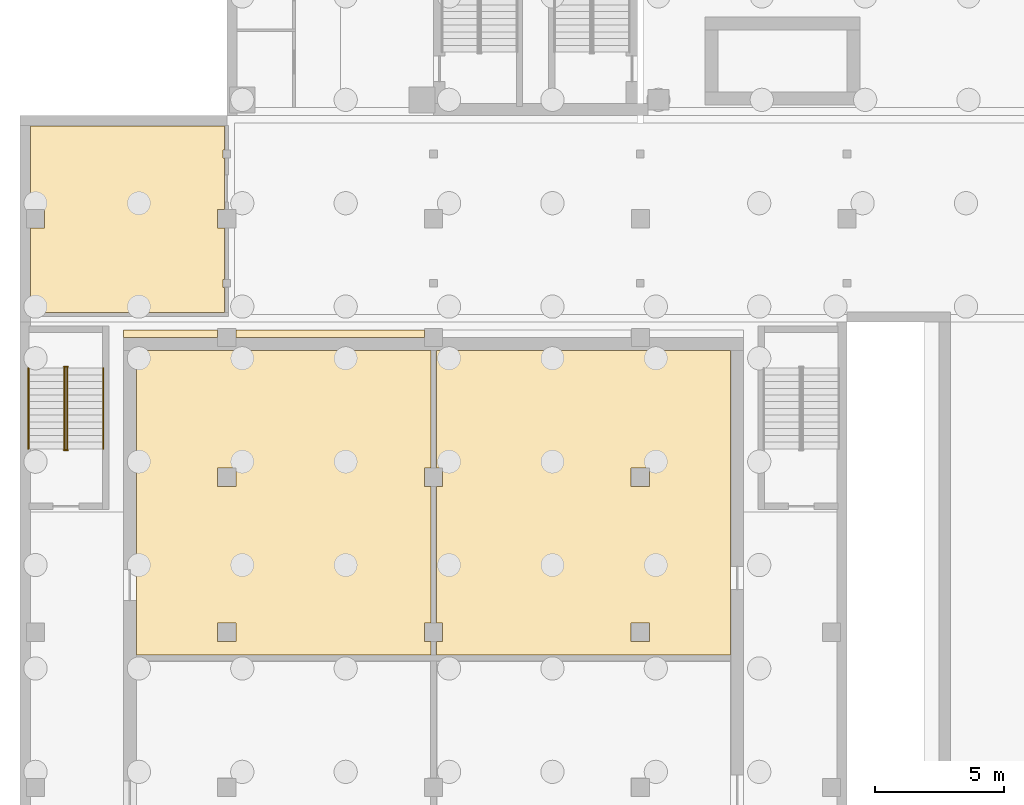
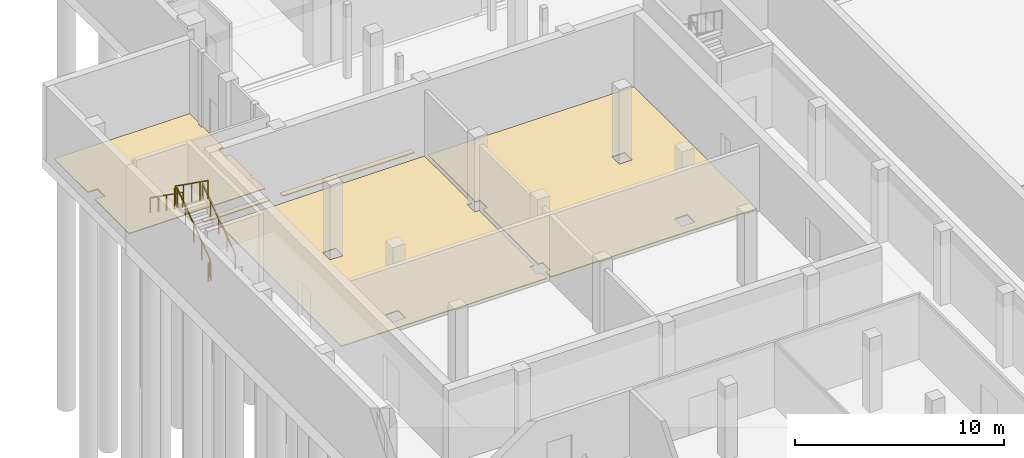
# One storey, part 13 of 21: 6 railings, 5 coverings.
"""IFC4 building model written with IfcOpenShell, lengths in metres."""

from ifc_helpers import new_model, si_unit, direction, frame, origin, origin_2d, place, context, subcontext, project, spatial, polyline, circle, outline, extrude, material, layer, layer_set, type_object, element, save


model = new_model("IFC4")

# Units and contexts
model_context = context("Model", 3, precision=1e-05, world=origin(), true_north=direction((0.0, 1.0)))
body_context = subcontext(model_context, "Body", "Model", "MODEL_VIEW")
ifc_project = project(units=[si_unit("LENGTHUNIT", "METRE"), si_unit("AREAUNIT", "SQUARE_METRE"), si_unit("VOLUMEUNIT", "CUBIC_METRE"), si_unit("PLANEANGLEUNIT", "RADIAN"), si_unit("MASSUNIT", "GRAM", prefix="KILO")], contexts=[model_context])

# Site, building, storey
site_placement = place(None, origin())
site = spatial("IfcSite", under=ifc_project, at=site_placement, CompositionType="ELEMENT")
building_placement = place(site_placement, origin())
building = spatial("IfcBuilding", under=site, at=building_placement, Name="Lantern Court Media Centre", CompositionType="ELEMENT")
storey_placement = place(building_placement, frame((0.0, 0.0, -4.800048828125)))
storey = spatial("IfcBuildingStorey", under=building, at=storey_placement, Name="B1", CompositionType="ELEMENT", Elevation=-4.800048828125)

# Coverings
ifc_material_1 = material(Name="Carpet")
ifc_layer = layer(ifc_material_1, 0.050048828125)
ifc_layer_set = layer_set([ifc_layer], Name="Carpet")
covering_type = type_object("IfcCoveringType", Name="Carpet floor finish", PredefinedType="FLOORING", material=ifc_layer_set)
covering_1_placement = place(storey_placement, origin())
element("IfcCovering", 1, at=covering_1_placement, inside=storey, type_object=covering_type, Name="Cinema Store floor finish", PredefinedType="FLOORING", context=body_context, shape_type="SweptSolid", body=[
    extrude(outline(polyline([(15.89501953125, 27.125), (4.5048828125, 27.125), (4.5048828125, 38.89501953125), (15.89501953125, 38.89501953125), (15.89501953125, 34.35498046875), (15.64501953125, 34.35009765625), (15.645263671875, 33.6484375), (15.89501953125, 33.64501953125), (15.89501953125, 28.35498046875), (15.645263671875, 28.3515625), (15.64501953125, 27.64990234375), (15.89501953125, 27.64501953125), (15.89501953125, 27.125)]), holes=[polyline([(8.35009765625, 33.64501953125), (8.353515625, 34.353515625), (7.646484375, 34.353515625), (7.646484375, 33.646484375), (8.35009765625, 33.64501953125)]), polyline([(8.35009765625, 27.64501953125), (8.353515625, 28.353515625), (7.646484375, 28.353515625), (7.646484375, 27.646484375), (8.35009765625, 27.64501953125)])]), origin(), (0.0, 0.0, 1.0), 0.050048828125),
])
covering_2_placement = place(storey_placement, origin())
element("IfcCovering", 2, at=covering_2_placement, inside=storey, type_object=covering_type, Name="Cinema Store floor finish", PredefinedType="FLOORING", context=body_context, shape_type="SweptSolid", body=[
    extrude(outline(polyline([(15.64501953125, 39.699951171875), (15.64501953125, 39.405029296875), (8.35498046875, 39.405029296875), (8.35498046875, 39.699951171875), (15.64501953125, 39.699951171875)])), origin(), (0.0, 0.0, 1.0), 0.050048828125),
])
covering_3_placement = place(storey_placement, origin())
element("IfcCovering", 3, at=covering_3_placement, inside=storey, type_object=covering_type, Name="Cinema Store floor finish", PredefinedType="FLOORING", context=body_context, shape_type="SweptSolid", body=[
    extrude(outline(polyline([(4.0, 39.699951171875), (7.64501953125, 39.699951171875), (7.64501953125, 39.405029296875), (4.0, 39.405029296875), (4.0, 39.699951171875)])), origin(), (0.0, 0.0, 1.0), 0.050048828125),
])
covering_4_placement = place(storey_placement, origin())
element("IfcCovering", 4, at=covering_4_placement, inside=storey, type_object=covering_type, Name="Fuel and Oil Store floor finish", PredefinedType="FLOORING", context=body_context, shape_type="SweptSolid", body=[
    extrude(outline(polyline([(16.10498046875, 27.125), (16.10498046875, 27.64501953125), (16.35498046875, 27.64990234375), (16.354736328125, 28.3515625), (16.10498046875, 28.35498046875), (16.10498046875, 33.64501953125), (16.35498046875, 33.64990234375), (16.354736328125, 34.3515625), (16.10498046875, 34.35498046875), (16.10498046875, 38.89501953125), (27.4951171875, 38.89501953125), (27.4951171875, 27.125), (16.10498046875, 27.125)]), holes=[polyline([(24.35009765625, 33.64501953125), (24.353515625, 34.353515625), (23.646484375, 34.353515625), (23.646484375, 33.646484375), (24.35009765625, 33.64501953125)]), polyline([(24.35009765625, 27.64501953125), (24.353515625, 28.353515625), (23.646484375, 28.353515625), (23.646484375, 27.646484375), (24.35009765625, 27.64501953125)])]), origin(), (0.0, 0.0, 1.0), 0.050048828125),
])
covering_5_placement = place(storey_placement, origin())
element("IfcCovering", 5, at=covering_5_placement, inside=storey, type_object=covering_type, Name="Metro Link Store floor finish", PredefinedType="FLOORING", context=body_context, shape_type="SweptSolid", body=[
    extrude(outline(polyline([(7.919921875, 40.3798828125), (0.405029296875, 40.3798828125), (0.405029296875, 43.64501953125), (0.955078125, 43.64990234375), (0.953857421875, 44.353271484375), (0.405029296875, 44.35498046875), (0.405029296875, 47.594970703125), (7.919921875, 47.594970703125), (7.919921875, 46.655029296875), (7.844970703125, 46.64990234375), (7.84521484375, 46.34912109375), (7.919921875, 46.344970703125), (7.919921875, 44.35498046875), (7.64501953125, 44.35009765625), (7.645263671875, 43.648193359375), (7.919921875, 43.64501953125), (7.919921875, 41.655029296875), (7.844970703125, 41.64990234375), (7.84521484375, 41.34912109375), (7.919921875, 41.344970703125), (7.919921875, 40.3798828125)])), origin(), (0.0, 0.0, 1.0), 0.050048828125),
])

# Railings
ifc_material_2 = material(Name="Powder-coated steel", Category="steel")
railing_type_1 = type_object("IfcRailingType", Name="Stair guard 1100", PredefinedType="GUARDRAIL", material=ifc_material_2)
railing_1_placement = place(storey_placement, frame((1.825927734375, 35.10009765625, 0.1845703125)))
element("IfcRailing", 6, at=railing_1_placement, inside=storey, type_object=railing_type_1, Name="B1 ST-V1-ST-W stair guard 1", PredefinedType="GUARDRAIL", context=body_context, shape_type="SweptSolid", body=[
    extrude(circle(Radius=0.02392578125, at=origin_2d()), frame((0.0, 0.0, 1.076171875), z_axis=(0.0, 0.815325456587, 0.579002935952), x_axis=(-1.0, 0.0, 0.0)), (0.0, 0.0, 1.0), 3.826416015625),
    extrude(circle(Radius=0.02099609375, at=origin_2d()), origin(), (0.0, 0.0, 1.0), 1.052001953125),
    extrude(circle(Radius=0.02099609375, at=origin_2d()), frame((0.0, 0.780029296875, 0.553955078125)), (0.0, 0.0, 1.0), 1.052001953125),
    extrude(circle(Radius=0.02099609375, at=origin_2d()), frame((0.0, 1.56005859375, 1.10791015625)), (0.0, 0.0, 1.0), 1.052001953125),
    extrude(circle(Radius=0.02099609375, at=origin_2d()), frame((0.0, 2.33984375, 1.66162109375)), (0.0, 0.0, 1.0), 1.052001953125),
    extrude(circle(Radius=0.02099609375, at=origin_2d()), frame((0.0, 3.119873046875, 2.215576171875)), (0.0, 0.0, 1.0), 1.052001953125),
])
railing_2_placement = place(storey_placement, frame((1.85009765625, 38.27001953125, 2.400146484375)))
element("IfcRailing", 7, at=railing_2_placement, inside=storey, type_object=railing_type_1, Name="B1 ST-V1-ST-W stair guard 2", PredefinedType="GUARDRAIL", context=body_context, shape_type="SweptSolid", body=[
    extrude(circle(Radius=0.02392578125, at=origin_2d()), frame((0.0, 0.0, 1.076171875), z_axis=(-1.0, 0.0, 0.0), x_axis=(0.0, -1.0, 0.0)), (0.0, 0.0, 1.0), 0.150146484375),
    extrude(circle(Radius=0.02099609375, at=origin_2d()), origin(), (0.0, 0.0, 1.0), 1.052001953125),
    extrude(circle(Radius=0.02099609375, at=origin_2d()), frame((-0.150146484375, 0.0, 0.0)), (0.0, 0.0, 1.0), 1.052001953125),
])
railing_3_placement = place(storey_placement, frame((1.72412109375, 38.219970703125, 2.584716796875)))
element("IfcRailing", 8, at=railing_3_placement, inside=storey, type_object=railing_type_1, Name="B1 ST-V1-ST-W stair guard 3", PredefinedType="GUARDRAIL", context=body_context, shape_type="SweptSolid", body=[
    extrude(circle(Radius=0.02392578125, at=origin_2d()), frame((0.0, 0.0, 1.076171875), z_axis=(0.0, -0.815355575968, 0.57896052088), x_axis=(1.0, 0.0, 0.0)), (0.0, 0.0, 1.0), 3.826416015625),
    extrude(circle(Radius=0.02099609375, at=origin_2d()), origin(), (0.0, 0.0, 1.0), 1.052001953125),
    extrude(circle(Radius=0.02099609375, at=origin_2d()), frame((0.0, -0.780029296875, 0.5537109375)), (0.0, 0.0, 1.0), 1.052001953125),
    extrude(circle(Radius=0.02099609375, at=origin_2d()), frame((0.0, -1.56005859375, 1.107666015625)), (0.0, 0.0, 1.0), 1.052001953125),
    extrude(circle(Radius=0.02099609375, at=origin_2d()), frame((0.0, -2.33984375, 1.66162109375)), (0.0, 0.0, 1.0), 1.052001953125),
    extrude(circle(Radius=0.02099609375, at=origin_2d()), frame((0.0, -3.119873046875, 2.21533203125)), (0.0, 0.0, 1.0), 1.052001953125),
])
railing_4_placement = place(storey_placement, frame((1.85009765625, 35.050048828125, 0.0)))
element("IfcRailing", 9, at=railing_4_placement, inside=storey, type_object=railing_type_1, Name="B1 ST-V1-ST-W stair guard 4", PredefinedType="GUARDRAIL", context=body_context, shape_type="SweptSolid", body=[
    extrude(circle(Radius=0.02392578125, at=origin_2d()), frame((0.0, 0.0, 1.076171875), z_axis=(-1.0, 0.0, 0.0), x_axis=(0.0, -1.0, 0.0)), (0.0, 0.0, 1.0), 0.150146484375),
    extrude(circle(Radius=0.02099609375, at=origin_2d()), origin(), (0.0, 0.0, 1.0), 1.052001953125),
    extrude(circle(Radius=0.02099609375, at=origin_2d()), frame((-0.150146484375, 0.0, 0.0)), (0.0, 0.0, 1.0), 1.052001953125),
])
railing_type_2 = type_object("IfcRailingType", Name="Stair handrail 900", PredefinedType="HANDRAIL", material=ifc_material_2)
railing_5_placement = place(storey_placement, frame((3.22412109375, 35.10009765625, 0.1845703125)))
element("IfcRailing", 10, at=railing_5_placement, inside=storey, type_object=railing_type_2, Name="B1 ST-V1-ST-W stair handrail 1", PredefinedType="HANDRAIL", context=body_context, shape_type="SweptSolid", body=[
    extrude(circle(Radius=0.02392578125, at=origin_2d()), frame((0.0, 0.0, 0.8759765625), z_axis=(0.0, 0.815325456587, 0.579002935952), x_axis=(-1.0, 0.0, 0.0)), (0.0, 0.0, 1.0), 3.826416015625),
    extrude(circle(Radius=0.02099609375, at=origin_2d()), origin(), (0.0, 0.0, 1.0), 0.851806640625),
    extrude(circle(Radius=0.02099609375, at=origin_2d()), frame((0.0, 0.780029296875, 0.553955078125)), (0.0, 0.0, 1.0), 0.851806640625),
    extrude(circle(Radius=0.02099609375, at=origin_2d()), frame((0.0, 1.56005859375, 1.10791015625)), (0.0, 0.0, 1.0), 0.851806640625),
    extrude(circle(Radius=0.02099609375, at=origin_2d()), frame((0.0, 2.33984375, 1.66162109375)), (0.0, 0.0, 1.0), 0.851806640625),
    extrude(circle(Radius=0.02099609375, at=origin_2d()), frame((0.0, 3.119873046875, 2.215576171875)), (0.0, 0.0, 1.0), 0.851806640625),
])
railing_6_placement = place(storey_placement, frame((0.325927734375, 38.219970703125, 2.584716796875)))
element("IfcRailing", 11, at=railing_6_placement, inside=storey, type_object=railing_type_2, Name="B1 ST-V1-ST-W stair handrail 2", PredefinedType="HANDRAIL", context=body_context, shape_type="SweptSolid", body=[
    extrude(circle(Radius=0.02392578125, at=origin_2d()), frame((0.0, 0.0, 0.8759765625), z_axis=(0.0, -0.815355575968, 0.57896052088), x_axis=(1.0, 0.0, 0.0)), (0.0, 0.0, 1.0), 3.826416015625),
    extrude(circle(Radius=0.02099609375, at=origin_2d()), origin(), (0.0, 0.0, 1.0), 0.851806640625),
    extrude(circle(Radius=0.02099609375, at=origin_2d()), frame((0.0, -0.780029296875, 0.5537109375)), (0.0, 0.0, 1.0), 0.851806640625),
    extrude(circle(Radius=0.02099609375, at=origin_2d()), frame((0.0, -1.56005859375, 1.107666015625)), (0.0, 0.0, 1.0), 0.851806640625),
    extrude(circle(Radius=0.02099609375, at=origin_2d()), frame((0.0, -2.33984375, 1.66162109375)), (0.0, 0.0, 1.0), 0.851806640625),
    extrude(circle(Radius=0.02099609375, at=origin_2d()), frame((0.0, -3.119873046875, 2.21533203125)), (0.0, 0.0, 1.0), 0.851806640625),
])

save(model, "model.ifc")
